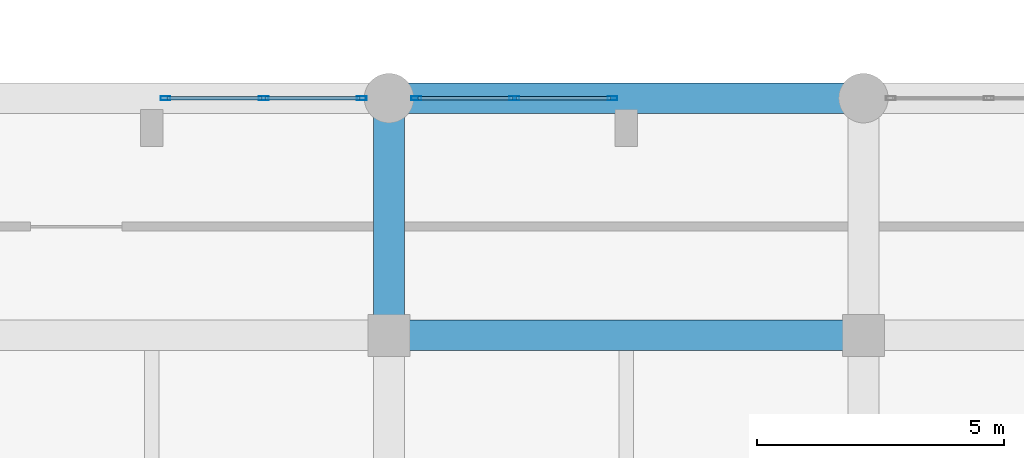
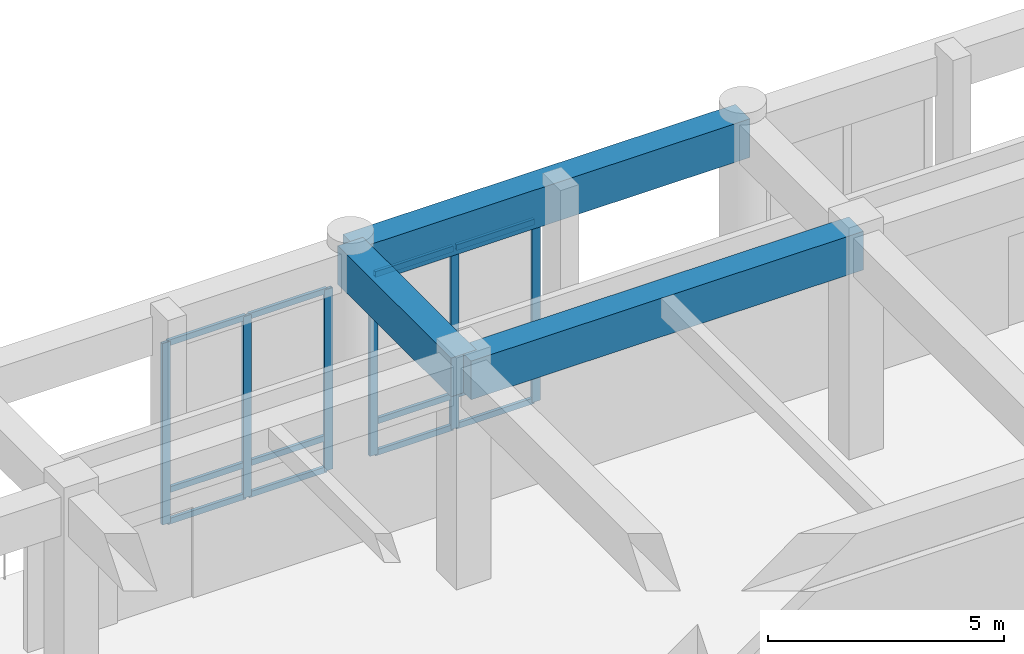
# One storey, part 18 of 87: 18 members, 3 beams, 2 elements without a shape of their own.
"""IFC4 building model written with IfcOpenShell, lengths in metres."""

from ifc_helpers import new_model, si_unit, direction, frame, origin, origin_2d, place, context, subcontext, project, spatial, rectangle, hollow_rectangle, extrude, material, layer, layer_set, material_profile, profile_set, type_object, element, aggregate, save


model = new_model("IFC4")

# Units and contexts
model_context = context("Model", 3, precision=1e-05, world=origin(), true_north=direction((0.0, 1.0)))
body_context = subcontext(model_context, "Body", "Model", "MODEL_VIEW")
ifc_project = project(units=[si_unit("LENGTHUNIT", "METRE"), si_unit("AREAUNIT", "SQUARE_METRE"), si_unit("VOLUMEUNIT", "CUBIC_METRE"), si_unit("PLANEANGLEUNIT", "RADIAN"), si_unit("MASSUNIT", "GRAM", prefix="KILO")], contexts=[model_context])

# Site, building, storey
site_placement = place(None, origin())
site = spatial("IfcSite", under=ifc_project, at=site_placement, CompositionType="ELEMENT")
building_placement = place(site_placement, origin())
building = spatial("IfcBuilding", under=site, at=building_placement, Name="Nakhvara Creek Congress Hotel", CompositionType="ELEMENT")
storey_placement = place(building_placement, origin())
storey = spatial("IfcBuildingStorey", under=building, at=storey_placement, Name="L00", CompositionType="ELEMENT", Elevation=0.0)

# Beams
ifc_material_1 = material(Name="Concrete C50/60", Category="concrete")
ifc_material_profile_1 = material_profile(ifc_material_1, rectangle(XDim=0.6201171875, YDim=1.0, at=origin_2d()), Name="RC-BM 620x1000", Category="LoadBearing")
ifc_profile_set_1 = profile_set([ifc_material_profile_1], Name="Concrete C50/60")
beam_type = type_object("IfcBeamType", Name="BM-RC-620X1000", PredefinedType="BEAM", material=ifc_profile_set_1)
beam_placement = place(storey_placement, frame((86.39990234375, 38.39990234375, 5.199951171875), z_axis=(0.0, 1.0, 0.0), x_axis=(-1.0, 0.0, 0.0)))
element("IfcBeam", 1, at=beam_placement, inside=storey, type_object=beam_type, Name="Beam B16-L00-0834", PredefinedType="BEAM", context=body_context, shape_type="SweptSolid", body=[
    extrude(rectangle(XDim=0.6201171875, YDim=1.0, at=origin_2d()), origin(), (0.0, 0.0, 1.0), 4.800048828125),
])
for number, where, z_axis, x_axis, name in (
    (2, (86.39990234375, 38.39990234375, 5.199951171875), (1.0, 0.0, 0.0), (0.0, 1.0, 0.0), "Beam B16-L00-0835"),
    (3, (86.39990234375, 43.199951171875, 5.199951171875), (1.0, 0.0, 0.0), (0.0, 1.0, 0.0), "Beam B16-L00-0836"),
):
    element("IfcBeam", number, at=place(storey_placement, frame(where, z_axis=z_axis, x_axis=x_axis)), inside=storey, type_object=beam_type, Name=name, PredefinedType="BEAM", context=body_context, shape_type="SweptSolid", body=[
        extrude(rectangle(XDim=0.6201171875, YDim=1.0, at=origin_2d()), origin(), (0.0, 0.0, 1.0), 9.60009765625),
    ])

# Curtain wall, members
ifc_material_2 = material(Name="Bronze-anodised aluminium AW-6063-T6 and double-silver low-E glass", Category="aluminium")
ifc_layer = layer(ifc_material_2, 0.199951171875)
ifc_layer_set = layer_set([ifc_layer], Name="Bronze-anodised aluminium AW-6063-T6 and double-silver low-E glass")
curtain_wall_type = type_object("IfcCurtainWallType", Name="CW-POD-STICK", PredefinedType="NOTDEFINED", material=ifc_layer_set)
curtain_wall_1_placement = place(storey_placement, origin())
curtain_wall_1 = element("IfcCurtainWall", 4, at=curtain_wall_1_placement, inside=storey, type_object=curtain_wall_type, Name="Curtain Wall CW001", PredefinedType="NOTDEFINED")
ifc_material_3 = material(Name="Bronze-anodised aluminium AW-6063-T6", Category="aluminium")
ifc_material_profile_2 = material_profile(ifc_material_3, hollow_rectangle(XDim=0.074951171875, YDim=0.199951171875, WallThickness=0.0048828125, at=origin_2d()), Name="ALU-MULL 75x200x5", Category="LoadBearing")
ifc_profile_set_2 = profile_set([ifc_material_profile_2], Name="Bronze-anodised aluminium AW-6063-T6")
member_type_1 = type_object("IfcMemberType", Name="CW-MULL-200", PredefinedType="MULLION", material=ifc_profile_set_2)
member_1_placement = place(storey_placement, frame((81.87744140625, 43.199951171875, 0.0), z_axis=(0.0, 0.0, 1.0), x_axis=(0.0, 1.0, 0.0)))
member_1 = element("IfcMember", 5, at=member_1_placement, type_object=member_type_1, Name="CW001 mullion 1", PredefinedType="MULLION", context=body_context, shape_type="SweptSolid", body=[
    extrude(hollow_rectangle(XDim=0.074951171875, YDim=0.199951171875, WallThickness=0.0048828125, at=origin_2d()), origin(), (0.0, 0.0, 1.0), 4.69189453125),
])
member_2_placement = place(storey_placement, frame((83.862548828125, 43.199951171875, 0.0), z_axis=(0.0, 0.0, 1.0), x_axis=(0.0, 1.0, 0.0)))
member_2 = element("IfcMember", 6, at=member_2_placement, type_object=member_type_1, Name="CW001 mullion 2", PredefinedType="MULLION", context=body_context, shape_type="SweptSolid", body=[
    extrude(hollow_rectangle(XDim=0.074951171875, YDim=0.199951171875, WallThickness=0.0048828125, at=origin_2d()), origin(), (0.0, 0.0, 1.0), 4.69189453125),
])
member_3_placement = place(storey_placement, frame((85.847412109375, 43.199951171875, 0.0), z_axis=(0.0, 0.0, 1.0), x_axis=(0.0, 1.0, 0.0)))
member_3 = element("IfcMember", 7, at=member_3_placement, type_object=member_type_1, Name="CW001 mullion 3", PredefinedType="MULLION", context=body_context, shape_type="SweptSolid", body=[
    extrude(hollow_rectangle(XDim=0.074951171875, YDim=0.199951171875, WallThickness=0.0048828125, at=origin_2d()), origin(), (0.0, 0.0, 1.0), 4.69189453125),
])

curtain_wall_2_placement = place(storey_placement, origin())
curtain_wall_2 = element("IfcCurtainWall", 8, at=curtain_wall_2_placement, inside=storey, type_object=curtain_wall_type, Name="Curtain Wall CW003", PredefinedType="NOTDEFINED")
member_4_placement = place(storey_placement, frame((86.952392578125, 43.199951171875, 0.0), z_axis=(0.0, 0.0, 1.0), x_axis=(0.0, 1.0, 0.0)))
member_4 = element("IfcMember", 9, at=member_4_placement, type_object=member_type_1, Name="CW003 mullion 1", PredefinedType="MULLION", context=body_context, shape_type="SweptSolid", body=[
    extrude(hollow_rectangle(XDim=0.074951171875, YDim=0.199951171875, WallThickness=0.0048828125, at=origin_2d()), origin(), (0.0, 0.0, 1.0), 4.69189453125),
])
member_5_placement = place(storey_placement, frame((88.9375, 43.199951171875, 0.0), z_axis=(0.0, 0.0, 1.0), x_axis=(0.0, 1.0, 0.0)))
member_5 = element("IfcMember", 10, at=member_5_placement, type_object=member_type_1, Name="CW003 mullion 2", PredefinedType="MULLION", context=body_context, shape_type="SweptSolid", body=[
    extrude(hollow_rectangle(XDim=0.074951171875, YDim=0.199951171875, WallThickness=0.0048828125, at=origin_2d()), origin(), (0.0, 0.0, 1.0), 4.69189453125),
])
member_6_placement = place(storey_placement, frame((90.922607421875, 43.199951171875, 0.0), z_axis=(0.0, 0.0, 1.0), x_axis=(0.0, 1.0, 0.0)))
member_6 = element("IfcMember", 11, at=member_6_placement, type_object=member_type_1, Name="CW003 mullion 3", PredefinedType="MULLION", context=body_context, shape_type="SweptSolid", body=[
    extrude(hollow_rectangle(XDim=0.074951171875, YDim=0.199951171875, WallThickness=0.0048828125, at=origin_2d()), origin(), (0.0, 0.0, 1.0), 4.69189453125),
])

# Member
ifc_material_profile_3 = material_profile(ifc_material_3, hollow_rectangle(XDim=0.074951171875, YDim=0.14990234375, WallThickness=0.00390625, at=origin_2d()), Name="ALU-TRAN 75x150x4", Category="LoadBearing")
ifc_profile_set_3 = profile_set([ifc_material_profile_3], Name="Bronze-anodised aluminium AW-6063-T6")
member_type_2 = type_object("IfcMemberType", Name="CW-TRAN-150", PredefinedType="USERDEFINED", material=ifc_profile_set_3)
member_7_placement = place(storey_placement, frame((81.9150390625, 43.199951171875, 0.03759765625), z_axis=(1.0, 0.0, 0.0), x_axis=(0.0, 1.0, 0.0)))
member_7 = element("IfcMember", 12, at=member_7_placement, type_object=member_type_2, Name="CW001 transom 1.1", ObjectType="TRANSOM", PredefinedType="USERDEFINED", context=body_context, shape_type="SweptSolid", body=[
    extrude(hollow_rectangle(XDim=0.074951171875, YDim=0.14990234375, WallThickness=0.00390625, at=origin_2d()), origin(), (0.0, 0.0, 1.0), 1.909912109375),
])

member_8_placement = place(storey_placement, frame((81.9150390625, 43.199951171875, 0.85009765625), z_axis=(1.0, 0.0, 0.0), x_axis=(0.0, 1.0, 0.0)))
member_8 = element("IfcMember", 13, at=member_8_placement, type_object=member_type_2, Name="CW001 transom 1.2", ObjectType="TRANSOM", PredefinedType="USERDEFINED", context=body_context, shape_type="SweptSolid", body=[
    extrude(hollow_rectangle(XDim=0.074951171875, YDim=0.14990234375, WallThickness=0.00390625, at=origin_2d()), origin(), (0.0, 0.0, 1.0), 1.909912109375),
])

member_9_placement = place(storey_placement, frame((81.9150390625, 43.199951171875, 4.654541015625), z_axis=(1.0, 0.0, 0.0), x_axis=(0.0, 1.0, 0.0)))
member_9 = element("IfcMember", 14, at=member_9_placement, type_object=member_type_2, Name="CW001 transom 1.3", ObjectType="TRANSOM", PredefinedType="USERDEFINED", context=body_context, shape_type="SweptSolid", body=[
    extrude(hollow_rectangle(XDim=0.074951171875, YDim=0.14990234375, WallThickness=0.00390625, at=origin_2d()), origin(), (0.0, 0.0, 1.0), 1.909912109375),
])

member_10_placement = place(storey_placement, frame((83.89990234375, 43.199951171875, 0.03759765625), z_axis=(1.0, 0.0, 0.0), x_axis=(0.0, 1.0, 0.0)))
member_10 = element("IfcMember", 15, at=member_10_placement, type_object=member_type_2, Name="CW001 transom 2.1", ObjectType="TRANSOM", PredefinedType="USERDEFINED", context=body_context, shape_type="SweptSolid", body=[
    extrude(hollow_rectangle(XDim=0.074951171875, YDim=0.14990234375, WallThickness=0.00390625, at=origin_2d()), origin(), (0.0, 0.0, 1.0), 1.91015625),
])

member_11_placement = place(storey_placement, frame((83.89990234375, 43.199951171875, 0.85009765625), z_axis=(1.0, 0.0, 0.0), x_axis=(0.0, 1.0, 0.0)))
member_11 = element("IfcMember", 16, at=member_11_placement, type_object=member_type_2, Name="CW001 transom 2.2", ObjectType="TRANSOM", PredefinedType="USERDEFINED", context=body_context, shape_type="SweptSolid", body=[
    extrude(hollow_rectangle(XDim=0.074951171875, YDim=0.14990234375, WallThickness=0.00390625, at=origin_2d()), origin(), (0.0, 0.0, 1.0), 1.91015625),
])

member_12_placement = place(storey_placement, frame((83.89990234375, 43.199951171875, 4.654541015625), z_axis=(1.0, 0.0, 0.0), x_axis=(0.0, 1.0, 0.0)))
member_12 = element("IfcMember", 17, at=member_12_placement, type_object=member_type_2, Name="CW001 transom 2.3", ObjectType="TRANSOM", PredefinedType="USERDEFINED", context=body_context, shape_type="SweptSolid", body=[
    extrude(hollow_rectangle(XDim=0.074951171875, YDim=0.14990234375, WallThickness=0.00390625, at=origin_2d()), origin(), (0.0, 0.0, 1.0), 1.91015625),
])

aggregate(curtain_wall_1, [member_1, member_2, member_3, member_7, member_8, member_9, member_10, member_11, member_12])

member_13_placement = place(storey_placement, frame((86.989990234375, 43.199951171875, 0.03759765625), z_axis=(1.0, 0.0, 0.0), x_axis=(0.0, 1.0, 0.0)))
member_13 = element("IfcMember", 18, at=member_13_placement, type_object=member_type_2, Name="CW003 transom 1.1", ObjectType="TRANSOM", PredefinedType="USERDEFINED", context=body_context, shape_type="SweptSolid", body=[
    extrude(hollow_rectangle(XDim=0.074951171875, YDim=0.14990234375, WallThickness=0.00390625, at=origin_2d()), origin(), (0.0, 0.0, 1.0), 1.909912109375),
])

member_14_placement = place(storey_placement, frame((86.989990234375, 43.199951171875, 0.85009765625), z_axis=(1.0, 0.0, 0.0), x_axis=(0.0, 1.0, 0.0)))
member_14 = element("IfcMember", 19, at=member_14_placement, type_object=member_type_2, Name="CW003 transom 1.2", ObjectType="TRANSOM", PredefinedType="USERDEFINED", context=body_context, shape_type="SweptSolid", body=[
    extrude(hollow_rectangle(XDim=0.074951171875, YDim=0.14990234375, WallThickness=0.00390625, at=origin_2d()), origin(), (0.0, 0.0, 1.0), 1.909912109375),
])

member_15_placement = place(storey_placement, frame((86.989990234375, 43.199951171875, 4.654541015625), z_axis=(1.0, 0.0, 0.0), x_axis=(0.0, 1.0, 0.0)))
member_15 = element("IfcMember", 20, at=member_15_placement, type_object=member_type_2, Name="CW003 transom 1.3", ObjectType="TRANSOM", PredefinedType="USERDEFINED", context=body_context, shape_type="SweptSolid", body=[
    extrude(hollow_rectangle(XDim=0.074951171875, YDim=0.14990234375, WallThickness=0.00390625, at=origin_2d()), origin(), (0.0, 0.0, 1.0), 1.909912109375),
])

member_16_placement = place(storey_placement, frame((88.97509765625, 43.199951171875, 0.03759765625), z_axis=(1.0, 0.0, 0.0), x_axis=(0.0, 1.0, 0.0)))
member_16 = element("IfcMember", 21, at=member_16_placement, type_object=member_type_2, Name="CW003 transom 2.1", ObjectType="TRANSOM", PredefinedType="USERDEFINED", context=body_context, shape_type="SweptSolid", body=[
    extrude(hollow_rectangle(XDim=0.074951171875, YDim=0.14990234375, WallThickness=0.00390625, at=origin_2d()), origin(), (0.0, 0.0, 1.0), 1.909912109375),
])

member_17_placement = place(storey_placement, frame((88.97509765625, 43.199951171875, 0.85009765625), z_axis=(1.0, 0.0, 0.0), x_axis=(0.0, 1.0, 0.0)))
member_17 = element("IfcMember", 22, at=member_17_placement, type_object=member_type_2, Name="CW003 transom 2.2", ObjectType="TRANSOM", PredefinedType="USERDEFINED", context=body_context, shape_type="SweptSolid", body=[
    extrude(hollow_rectangle(XDim=0.074951171875, YDim=0.14990234375, WallThickness=0.00390625, at=origin_2d()), origin(), (0.0, 0.0, 1.0), 1.909912109375),
])

member_18_placement = place(storey_placement, frame((88.97509765625, 43.199951171875, 4.654541015625), z_axis=(1.0, 0.0, 0.0), x_axis=(0.0, 1.0, 0.0)))
member_18 = element("IfcMember", 23, at=member_18_placement, type_object=member_type_2, Name="CW003 transom 2.3", ObjectType="TRANSOM", PredefinedType="USERDEFINED", context=body_context, shape_type="SweptSolid", body=[
    extrude(hollow_rectangle(XDim=0.074951171875, YDim=0.14990234375, WallThickness=0.00390625, at=origin_2d()), origin(), (0.0, 0.0, 1.0), 1.909912109375),
])

aggregate(curtain_wall_2, [member_4, member_5, member_6, member_13, member_14, member_15, member_16, member_17, member_18])

save(model, "model.ifc")
